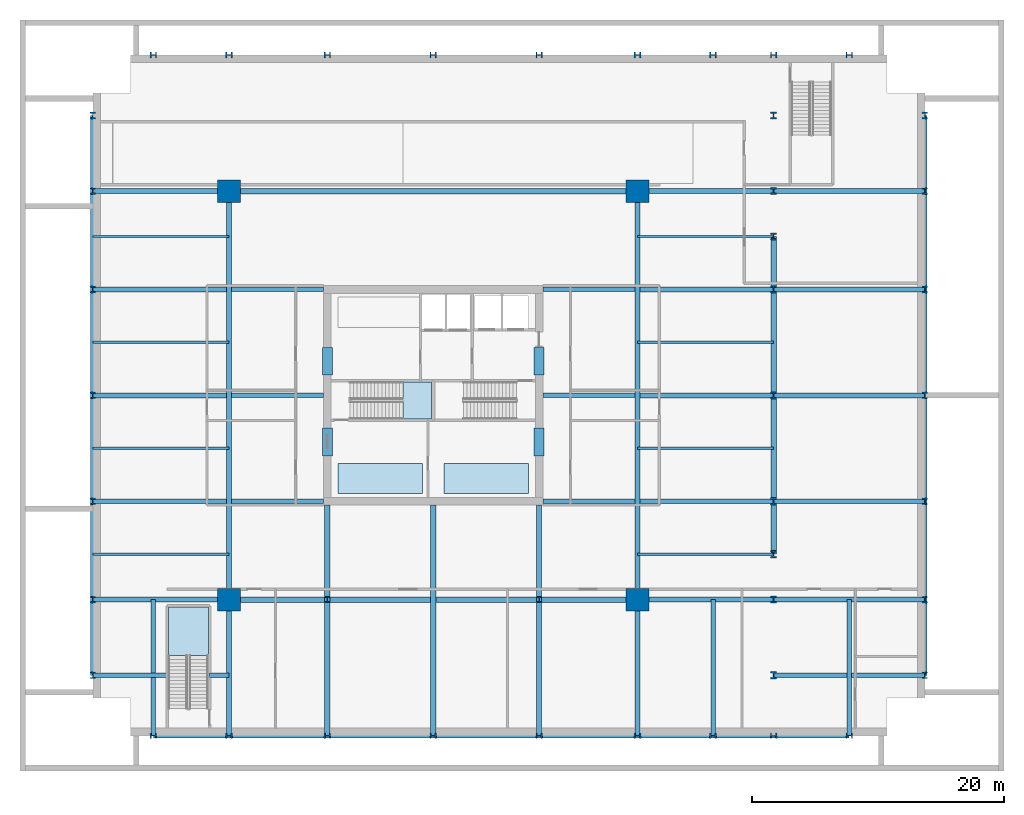
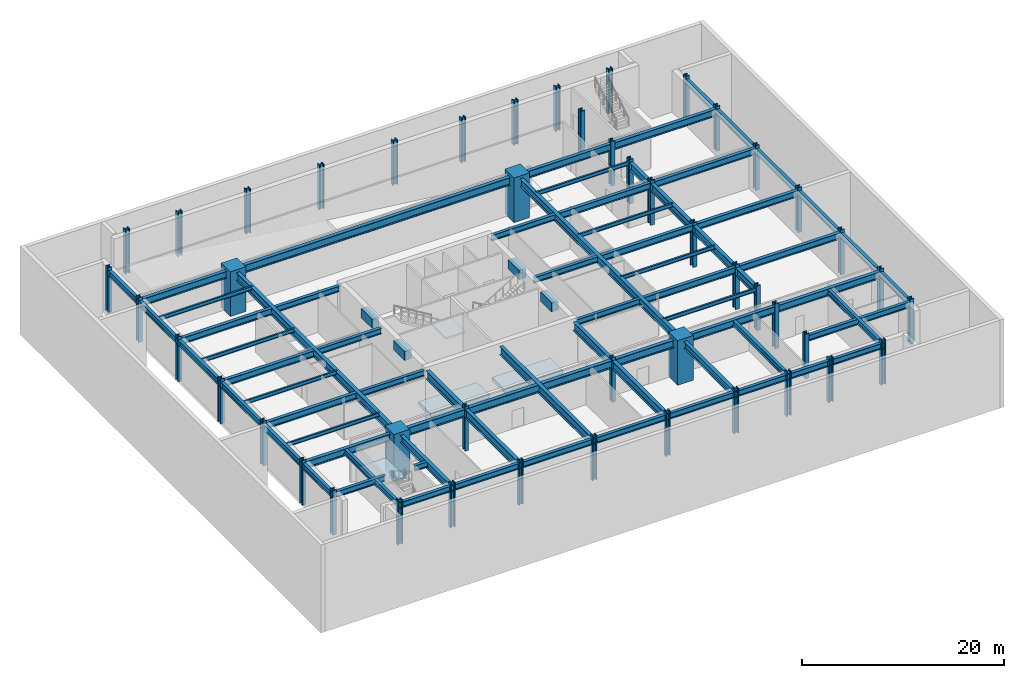
# One storey, part 1 of 9: 52 beams, 47 columns, 4 slabs, 2 elements without a shape of their own.
"""IFC4 building model written with IfcOpenShell, lengths in metres."""

from ifc_helpers import new_model, si_unit, direction, frame, origin, origin_2d, place, context, subcontext, project, spatial, polyline, rectangle, i_section, outline, extrude, material, layer, layer_set, material_profile, profile_set, type_object, element, aggregate, save


model = new_model("IFC4")

# Units and contexts
model_context = context("Model", 3, precision=1e-05, world=origin(), true_north=direction((0.0, 1.0)))
body_context = subcontext(model_context, "Body", "Model", "MODEL_VIEW")
ifc_project = project(units=[si_unit("LENGTHUNIT", "METRE"), si_unit("AREAUNIT", "SQUARE_METRE"), si_unit("VOLUMEUNIT", "CUBIC_METRE"), si_unit("PLANEANGLEUNIT", "RADIAN"), si_unit("MASSUNIT", "GRAM", prefix="KILO")], contexts=[model_context])

# Site, building, storey
site_placement = place(None, origin())
site = spatial("IfcSite", under=ifc_project, at=site_placement, CompositionType="ELEMENT")
building_placement = place(site_placement, origin())
building = spatial("IfcBuilding", under=site, at=building_placement, Name="Drelvath Grand Hotel", CompositionType="ELEMENT")
storey_placement = place(building_placement, frame((0.0, 0.0, -5.39990234375)))
storey = spatial("IfcBuildingStorey", under=building, at=storey_placement, Name="B1", CompositionType="ELEMENT", Elevation=-5.39990234375)

# Columns
ifc_material_1 = material(Name="Concrete f'c 70 MPa", Category="concrete")
ifc_material_profile_1 = material_profile(ifc_material_1, rectangle(XDim=1.800048828125, YDim=1.800048828125, at=origin_2d()), Name="MC1800X1800")
ifc_profile_set_1 = profile_set([ifc_material_profile_1], Name="Concrete f'c 70 MPa")
column_type_1 = type_object("IfcColumnType", Name="Composite Mega Column MC1800X1800", PredefinedType="COLUMN", material=ifc_profile_set_1)
for number, where, z_axis, x_axis, name in (
    (1, (-16.199951171875, 10.800048828125, 0.0), (0.0, 0.0, 1.0), (1.0, 0.0, 0.0), "B1 Composite Mega Column MC-SW"),
    (2, (16.199951171875, 10.800048828125, 0.0), (0.0, 0.0, 1.0), (1.0, 0.0, 0.0), "B1 Composite Mega Column MC-SE"),
    (3, (-16.199951171875, 43.199951171875, 0.0), (0.0, 0.0, 1.0), (1.0, 0.0, 0.0), "B1 Composite Mega Column MC-NW"),
    (4, (16.199951171875, 43.199951171875, 0.0), (0.0, 0.0, 1.0), (1.0, 0.0, 0.0), "B1 Composite Mega Column MC-NE"),
):
    element("IfcColumn", number, at=place(storey_placement, frame(where, z_axis=z_axis, x_axis=x_axis)), inside=storey, type_object=column_type_1, Name=name, PredefinedType="COLUMN", context=body_context, shape_type="SweptSolid", body=[
        extrude(rectangle(XDim=1.800048828125, YDim=1.800048828125, at=origin_2d()), origin(), (0.0, 0.0, 1.0), 5.39990234375),
    ])
ifc_material_2 = material(Name="Steel ASTM A913 Gr 65", Category="steel")
ifc_material_profile_2 = material_profile(ifc_material_2, i_section(OverallWidth=0.424072265625, OverallDepth=0.47412109375, WebThickness=0.047607421875, FlangeThickness=0.0771484375, FilletRadius=0.030029296875, at=origin_2d()), Name="W14X426")
ifc_profile_set_2 = profile_set([ifc_material_profile_2], Name="Steel ASTM A913 Gr 65")
column_type_2 = type_object("IfcColumnType", Name="Perimeter Steel Column W14X426", PredefinedType="COLUMN", material=ifc_profile_set_2)
for number, where, z_axis, x_axis, name in (
    (5, (-8.39990234375, 10.800048828125, 0.0), (0.0, 0.0, 1.0), (1.0, 0.0, 0.0), "B1 Structural Column PCP4-C"),
    (6, (8.39990234375, 10.800048828125, 0.0), (0.0, 0.0, 1.0), (1.0, 0.0, 0.0), "B1 Structural Column PCP6-C"),
):
    element("IfcColumn", number, at=place(storey_placement, frame(where, z_axis=z_axis, x_axis=x_axis)), inside=storey, type_object=column_type_2, Name=name, PredefinedType="COLUMN", context=body_context, shape_type="SweptSolid", body=[
        extrude(i_section(OverallWidth=0.424072265625, OverallDepth=0.47412109375, WebThickness=0.047607421875, FlangeThickness=0.0771484375, FilletRadius=0.030029296875, at=origin_2d()), origin(), (0.0, 0.0, 1.0), 5.39990234375),
    ])
ifc_material_profile_3 = material_profile(ifc_material_2, i_section(OverallWidth=0.44189453125, OverallDepth=0.531494140625, WebThickness=0.06591796875, FlangeThickness=0.105712890625, FilletRadius=0.030029296875, at=origin_2d()), Name="W14X605")
ifc_profile_set_3 = profile_set([ifc_material_profile_3], Name="Steel ASTM A913 Gr 65")
column_type_3 = type_object("IfcColumnType", Name="Perimeter Steel Column W14X605", PredefinedType="COLUMN", material=ifc_profile_set_3)
for number, where, z_axis, x_axis, name in (
    (7, (-27.0, 4.800048828125, 0.0), (0.0, 0.0, 1.0), (1.0, 0.0, 0.0), "B1 Structural Column PCW-B"),
    (8, (39.0, 4.800048828125, 0.0), (0.0, 0.0, 1.0), (1.0, 0.0, 0.0), "B1 Structural Column PCE-B"),
    (9, (-27.0, 10.800048828125, 0.0), (0.0, 0.0, 1.0), (1.0, 0.0, 0.0), "B1 Structural Column PCW-C"),
    (10, (39.0, 10.800048828125, 0.0), (0.0, 0.0, 1.0), (1.0, 0.0, 0.0), "B1 Structural Column PCE-C"),
    (11, (-27.0, 18.60009765625, 0.0), (0.0, 0.0, 1.0), (1.0, 0.0, 0.0), "B1 Structural Column PCW-D"),
    (12, (39.0, 18.60009765625, 0.0), (0.0, 0.0, 1.0), (1.0, 0.0, 0.0), "B1 Structural Column PCE-D"),
    (13, (-27.0, 27.0, 0.0), (0.0, 0.0, 1.0), (1.0, 0.0, 0.0), "B1 Structural Column PCW-E"),
    (14, (39.0, 27.0, 0.0), (0.0, 0.0, 1.0), (1.0, 0.0, 0.0), "B1 Structural Column PCE-E"),
    (15, (-27.0, 35.39990234375, 0.0), (0.0, 0.0, 1.0), (1.0, 0.0, 0.0), "B1 Structural Column PCW-F"),
    (16, (39.0, 35.39990234375, 0.0), (0.0, 0.0, 1.0), (1.0, 0.0, 0.0), "B1 Structural Column PCE-F"),
    (17, (-27.0, 43.199951171875, 0.0), (0.0, 0.0, 1.0), (1.0, 0.0, 0.0), "B1 Structural Column PCW-G"),
    (18, (39.0, 43.199951171875, 0.0), (0.0, 0.0, 1.0), (1.0, 0.0, 0.0), "B1 Structural Column PCE-G"),
    (19, (-27.0, 49.199951171875, 0.0), (0.0, 0.0, 1.0), (1.0, 0.0, 0.0), "B1 Structural Column PCW-H"),
    (20, (39.0, 49.199951171875, 0.0), (0.0, 0.0, 1.0), (1.0, 0.0, 0.0), "B1 Structural Column PCE-H"),
    (21, (-22.199951171875, 0.0, 0.0), (0.0, 0.0, 1.0), (0.0, 1.0, 0.0), "B1 Structural Column PCS-2"),
    (22, (-22.199951171875, 54.0, 0.0), (0.0, 0.0, 1.0), (0.0, 1.0, 0.0), "B1 Structural Column PCN-2"),
    (23, (-16.199951171875, 0.0, 0.0), (0.0, 0.0, 1.0), (0.0, 1.0, 0.0), "B1 Structural Column PCS-3"),
    (24, (-16.199951171875, 54.0, 0.0), (0.0, 0.0, 1.0), (0.0, 1.0, 0.0), "B1 Structural Column PCN-3"),
    (25, (-8.39990234375, 0.0, 0.0), (0.0, 0.0, 1.0), (0.0, 1.0, 0.0), "B1 Structural Column PCS-4"),
    (26, (-8.39990234375, 54.0, 0.0), (0.0, 0.0, 1.0), (0.0, 1.0, 0.0), "B1 Structural Column PCN-4"),
    (27, (0.0, 0.0, 0.0), (0.0, 0.0, 1.0), (0.0, 1.0, 0.0), "B1 Structural Column PCS-5"),
    (28, (0.0, 54.0, 0.0), (0.0, 0.0, 1.0), (0.0, 1.0, 0.0), "B1 Structural Column PCN-5"),
    (29, (8.39990234375, 0.0, 0.0), (0.0, 0.0, 1.0), (0.0, 1.0, 0.0), "B1 Structural Column PCS-6"),
    (30, (8.39990234375, 54.0, 0.0), (0.0, 0.0, 1.0), (0.0, 1.0, 0.0), "B1 Structural Column PCN-6"),
    (31, (16.199951171875, 0.0, 0.0), (0.0, 0.0, 1.0), (0.0, 1.0, 0.0), "B1 Structural Column PCS-7"),
    (32, (16.199951171875, 54.0, 0.0), (0.0, 0.0, 1.0), (0.0, 1.0, 0.0), "B1 Structural Column PCN-7"),
    (33, (22.199951171875, 0.0, 0.0), (0.0, 0.0, 1.0), (0.0, 1.0, 0.0), "B1 Structural Column PCS-8"),
    (34, (22.199951171875, 54.0, 0.0), (0.0, 0.0, 1.0), (0.0, 1.0, 0.0), "B1 Structural Column PCN-8"),
    (35, (27.0, 0.0, 0.0), (0.0, 0.0, 1.0), (0.0, 1.0, 0.0), "B1 Structural Column PCS-9"),
    (36, (27.0, 54.0, 0.0), (0.0, 0.0, 1.0), (0.0, 1.0, 0.0), "B1 Structural Column PCN-9"),
    (37, (33.0, 0.0, 0.0), (0.0, 0.0, 1.0), (0.0, 1.0, 0.0), "B1 Structural Column PCS-10"),
    (38, (33.0, 54.0, 0.0), (0.0, 0.0, 1.0), (0.0, 1.0, 0.0), "B1 Structural Column PCN-10"),
):
    element("IfcColumn", number, at=place(storey_placement, frame(where, z_axis=z_axis, x_axis=x_axis)), inside=storey, type_object=column_type_3, Name=name, PredefinedType="COLUMN", context=body_context, shape_type="SweptSolid", body=[
        extrude(i_section(OverallWidth=0.44189453125, OverallDepth=0.531494140625, WebThickness=0.06591796875, FlangeThickness=0.105712890625, FilletRadius=0.030029296875, at=origin_2d()), origin(), (0.0, 0.0, 1.0), 5.39990234375),
    ])
ifc_material_profile_4 = material_profile(ifc_material_2, i_section(OverallWidth=0.454345703125, OverallDepth=0.569091796875, WebThickness=0.077880859375, FlangeThickness=0.124755859375, FilletRadius=0.030029296875, at=origin_2d()), Name="W14X730")
ifc_profile_set_4 = profile_set([ifc_material_profile_4], Name="Steel ASTM A913 Gr 65")
column_type_4 = type_object("IfcColumnType", Name="Perimeter Steel Column W14X730", PredefinedType="COLUMN", material=ifc_profile_set_4)
for number, where, z_axis, x_axis, name in (
    (39, (27.0, 4.800048828125, 0.0), (0.0, 0.0, 1.0), (1.0, 0.0, 0.0), "B1 Structural Column PCP9-B"),
    (40, (27.0, 10.800048828125, 0.0), (0.0, 0.0, 1.0), (1.0, 0.0, 0.0), "B1 Structural Column PCP9-C"),
    (41, (27.0, 14.39990234375, 0.0), (0.0, 0.0, 1.0), (1.0, 0.0, 0.0), "B1 Structural Column PCP9-AT1"),
    (42, (27.0, 39.60009765625, 0.0), (0.0, 0.0, 1.0), (1.0, 0.0, 0.0), "B1 Structural Column PCP9-AT2"),
    (43, (27.0, 43.199951171875, 0.0), (0.0, 0.0, 1.0), (1.0, 0.0, 0.0), "B1 Structural Column PCP9-G"),
    (44, (27.0, 49.199951171875, 0.0), (0.0, 0.0, 1.0), (1.0, 0.0, 0.0), "B1 Structural Column PCP9-H"),
    (45, (27.0, 18.60009765625, 0.0), (0.0, 0.0, 1.0), (1.0, 0.0, 0.0), "B1 Structural Column PCP9-D"),
    (46, (27.0, 27.0, 0.0), (0.0, 0.0, 1.0), (1.0, 0.0, 0.0), "B1 Structural Column PCP9-E"),
    (47, (27.0, 35.39990234375, 0.0), (0.0, 0.0, 1.0), (1.0, 0.0, 0.0), "B1 Structural Column PCP9-F"),
):
    element("IfcColumn", number, at=place(storey_placement, frame(where, z_axis=z_axis, x_axis=x_axis)), inside=storey, type_object=column_type_4, Name=name, PredefinedType="COLUMN", context=body_context, shape_type="SweptSolid", body=[
        extrude(i_section(OverallWidth=0.454345703125, OverallDepth=0.569091796875, WebThickness=0.077880859375, FlangeThickness=0.124755859375, FilletRadius=0.030029296875, at=origin_2d()), origin(), (0.0, 0.0, 1.0), 5.39990234375),
    ])

# Beams
ifc_material_3 = material(Name="Steel ASTM A992 Gr 50", Category="steel")
ifc_material_profile_5 = material_profile(ifc_material_3, i_section(OverallWidth=0.19140625, OverallDepth=0.4599609375, WebThickness=0.010009765625, FlangeThickness=0.01611328125, FilletRadius=0.01611328125, at=origin_2d()), Name="W18X55")
ifc_profile_set_5 = profile_set([ifc_material_profile_5], Name="Steel ASTM A992 Gr 50")
beam_type_1 = type_object("IfcBeamType", Name="Composite Floor Joist W18X55", PredefinedType="JOIST", material=ifc_profile_set_5)
for number, where, z_axis, x_axis, name in (
    (48, (-27.0, 22.800048828125, 4.81982421875), (1.0, 0.0, 0.0), (0.0, 1.0, 0.0), "B1 West Composite Joist J1"),
    (49, (16.199951171875, 22.800048828125, 4.81982421875), (1.0, 0.0, 0.0), (0.0, 1.0, 0.0), "B1 East Composite Joist J1"),
    (50, (-27.0, 31.199951171875, 4.81982421875), (1.0, 0.0, 0.0), (0.0, 1.0, 0.0), "B1 West Composite Joist J2"),
    (51, (16.199951171875, 31.199951171875, 4.81982421875), (1.0, 0.0, 0.0), (0.0, 1.0, 0.0), "B1 East Composite Joist J2"),
    (52, (-27.0, 14.39990234375, 4.81982421875), (1.0, 0.0, 0.0), (0.0, 1.0, 0.0), "B1 West Composite Joist J3"),
    (53, (16.199951171875, 14.39990234375, 4.81982421875), (1.0, 0.0, 0.0), (0.0, 1.0, 0.0), "B1 East Composite Joist J3"),
    (54, (-27.0, 39.60009765625, 4.81982421875), (1.0, 0.0, 0.0), (0.0, 1.0, 0.0), "B1 West Composite Joist J4"),
    (55, (16.199951171875, 39.60009765625, 4.81982421875), (1.0, 0.0, 0.0), (0.0, 1.0, 0.0), "B1 East Composite Joist J4"),
):
    element("IfcBeam", number, at=place(storey_placement, frame(where, z_axis=z_axis, x_axis=x_axis)), inside=storey, type_object=beam_type_1, Name=name, PredefinedType="JOIST", context=body_context, shape_type="SweptSolid", body=[
        extrude(i_section(OverallWidth=0.19140625, OverallDepth=0.4599609375, WebThickness=0.010009765625, FlangeThickness=0.01611328125, FilletRadius=0.01611328125, at=origin_2d()), origin(), (0.0, 0.0, 1.0), 10.800048828125),
    ])
ifc_material_profile_6 = material_profile(ifc_material_1, rectangle(XDim=0.800048828125, YDim=1.10009765625, at=origin_2d()), Name="CB800X1100")
ifc_profile_set_6 = profile_set([ifc_material_profile_6], Name="Concrete f'c 70 MPa")
beam_type_2 = type_object("IfcBeamType", Name="Core Coupling Lintel CB800X1100", PredefinedType="LINTEL", material=ifc_profile_set_6)
for number, where, z_axis, x_axis, name in (
    (56, (-8.39990234375, 22.199951171875, 4.5), (0.0, 1.0, 0.0), (-1.0, 0.0, 0.0), "B1 Core Coupling Lintel WS"),
    (57, (-8.39990234375, 28.60009765625, 4.5), (0.0, 1.0, 0.0), (-1.0, 0.0, 0.0), "B1 Core Coupling Lintel WN"),
    (58, (8.39990234375, 22.199951171875, 4.5), (0.0, 1.0, 0.0), (-1.0, 0.0, 0.0), "B1 Core Coupling Lintel ES"),
    (59, (8.39990234375, 28.60009765625, 4.5), (0.0, 1.0, 0.0), (-1.0, 0.0, 0.0), "B1 Core Coupling Lintel EN"),
):
    element("IfcBeam", number, at=place(storey_placement, frame(where, z_axis=z_axis, x_axis=x_axis)), inside=storey, type_object=beam_type_2, Name=name, PredefinedType="LINTEL", context=body_context, shape_type="SweptSolid", body=[
        extrude(rectangle(XDim=0.800048828125, YDim=1.10009765625, at=origin_2d()), origin(), (0.0, 0.0, 1.0), 2.199951171875),
    ])
ifc_material_profile_7 = material_profile(ifc_material_3, i_section(OverallWidth=0.354736328125, OverallDepth=0.695556640625, WebThickness=0.015380859375, FlangeThickness=0.025146484375, FilletRadius=0.02392578125, at=origin_2d()), Name="W27X146")
ifc_profile_set_7 = profile_set([ifc_material_profile_7], Name="Steel ASTM A992 Gr 50")
beam_type_3 = type_object("IfcBeamType", Name="Perimeter Spandrel Beam W27X146", PredefinedType="SPANDREL", material=ifc_profile_set_7)
for number, where, z_axis, x_axis, name in (
    (60, (-27.0, 4.800048828125, 4.7021484375), (0.0, 1.0, 0.0), (-1.0, 0.0, 0.0), "B1 Podium Perimeter Spandrel SPW1"),
    (61, (39.0, 4.800048828125, 4.7021484375), (0.0, 1.0, 0.0), (-1.0, 0.0, 0.0), "B1 Podium Perimeter Spandrel SPE1"),
):
    element("IfcBeam", number, at=place(storey_placement, frame(where, z_axis=z_axis, x_axis=x_axis)), inside=storey, type_object=beam_type_3, Name=name, PredefinedType="SPANDREL", context=body_context, shape_type="SweptSolid", body=[
        extrude(i_section(OverallWidth=0.354736328125, OverallDepth=0.695556640625, WebThickness=0.015380859375, FlangeThickness=0.025146484375, FilletRadius=0.02392578125, at=origin_2d()), origin(), (0.0, 0.0, 1.0), 44.39990234375),
    ])
beam_1_placement = place(storey_placement, frame((-22.199951171875, 0.0, 4.7021484375), z_axis=(1.0, 0.0, 0.0), x_axis=(0.0, 1.0, 0.0)))
element("IfcBeam", 62, at=beam_1_placement, inside=storey, type_object=beam_type_3, Name="B1 Podium Perimeter Spandrel SPS1", PredefinedType="SPANDREL", context=body_context, shape_type="SweptSolid", body=[
    extrude(i_section(OverallWidth=0.354736328125, OverallDepth=0.695556640625, WebThickness=0.015380859375, FlangeThickness=0.025146484375, FilletRadius=0.02392578125, at=origin_2d()), origin(), (0.0, 0.0, 1.0), 55.199951171875),
])
ifc_material_profile_8 = material_profile(ifc_material_3, i_section(OverallWidth=0.354736328125, OverallDepth=0.695556640625, WebThickness=0.015380859375, FlangeThickness=0.025146484375, FilletRadius=0.02392578125, at=origin_2d()), Name="W27X146")
ifc_profile_set_8 = profile_set([ifc_material_profile_8], Name="Steel ASTM A992 Gr 50")
beam_type_4 = type_object("IfcBeamType", Name="Primary Floor Girder W27X146", PredefinedType="BEAM", material=ifc_profile_set_8)
for number, where, z_axis, x_axis, name in (
    (63, (-15.988525390625, 18.60009765625, 4.7021484375), (1.0, 0.0, 0.0), (0.0, 1.0, 0.0), "B1 West Core Girder D"),
    (64, (8.699951171875, 18.60009765625, 4.7021484375), (1.0, 0.0, 0.0), (0.0, 1.0, 0.0), "B1 East Core Girder D"),
    (65, (-15.988525390625, 27.0, 4.7021484375), (1.0, 0.0, 0.0), (0.0, 1.0, 0.0), "B1 West Core Girder E"),
    (66, (8.699951171875, 27.0, 4.7021484375), (1.0, 0.0, 0.0), (0.0, 1.0, 0.0), "B1 East Core Girder E"),
    (67, (-15.988525390625, 35.39990234375, 4.7021484375), (1.0, 0.0, 0.0), (0.0, 1.0, 0.0), "B1 West Core Girder F"),
    (68, (8.699951171875, 35.39990234375, 4.7021484375), (1.0, 0.0, 0.0), (0.0, 1.0, 0.0), "B1 East Core Girder F"),
):
    element("IfcBeam", number, at=place(storey_placement, frame(where, z_axis=z_axis, x_axis=x_axis)), inside=storey, type_object=beam_type_4, Name=name, PredefinedType="BEAM", context=body_context, shape_type="SweptSolid", body=[
        extrude(i_section(OverallWidth=0.354736328125, OverallDepth=0.695556640625, WebThickness=0.015380859375, FlangeThickness=0.025146484375, FilletRadius=0.02392578125, at=origin_2d()), origin(), (0.0, 0.0, 1.0), 7.28857421875),
    ])
beam_2_placement = place(storey_placement, frame((-27.0, 4.800048828125, 4.7021484375), z_axis=(1.0, 0.0, 0.0), x_axis=(0.0, 1.0, 0.0)))
element("IfcBeam", 69, at=beam_2_placement, inside=storey, type_object=beam_type_4, Name="B1 West Corner Tie B1", PredefinedType="BEAM", context=body_context, shape_type="SweptSolid", body=[
    extrude(i_section(OverallWidth=0.354736328125, OverallDepth=0.695556640625, WebThickness=0.015380859375, FlangeThickness=0.025146484375, FilletRadius=0.02392578125, at=origin_2d()), origin(), (0.0, 0.0, 1.0), 5.89990234375),
])
beam_3_placement = place(storey_placement, frame((-17.739990234375, 4.800048828125, 4.7021484375), z_axis=(1.0, 0.0, 0.0), x_axis=(0.0, 1.0, 0.0)))
element("IfcBeam", 70, at=beam_3_placement, inside=storey, type_object=beam_type_4, Name="B1 West Corner Tie B2", PredefinedType="BEAM", context=body_context, shape_type="SweptSolid", body=[
    extrude(i_section(OverallWidth=0.354736328125, OverallDepth=0.695556640625, WebThickness=0.015380859375, FlangeThickness=0.025146484375, FilletRadius=0.02392578125, at=origin_2d()), origin(), (0.0, 0.0, 1.0), 1.5400390625),
])
beam_4_placement = place(storey_placement, frame((27.0, 4.800048828125, 4.7021484375), z_axis=(1.0, 0.0, 0.0), x_axis=(0.0, 1.0, 0.0)))
element("IfcBeam", 71, at=beam_4_placement, inside=storey, type_object=beam_type_4, Name="B1 East Corner Tie B", PredefinedType="BEAM", context=body_context, shape_type="SweptSolid", body=[
    extrude(i_section(OverallWidth=0.354736328125, OverallDepth=0.695556640625, WebThickness=0.015380859375, FlangeThickness=0.025146484375, FilletRadius=0.02392578125, at=origin_2d()), origin(), (0.0, 0.0, 1.0), 12.0),
])
for number, where, z_axis, x_axis, name in (
    (72, (-22.199951171875, 0.0, 4.7021484375), (0.0, 1.0, 0.0), (-1.0, 0.0, 0.0), "B1 South Corner Tie 2"),
    (73, (22.199951171875, 0.0, 4.7021484375), (0.0, 1.0, 0.0), (-1.0, 0.0, 0.0), "B1 South Corner Tie 8"),
    (74, (33.0, 0.0, 4.7021484375), (0.0, 1.0, 0.0), (-1.0, 0.0, 0.0), "B1 South Corner Tie 10"),
):
    element("IfcBeam", number, at=place(storey_placement, frame(where, z_axis=z_axis, x_axis=x_axis)), inside=storey, type_object=beam_type_4, Name=name, PredefinedType="BEAM", context=body_context, shape_type="SweptSolid", body=[
        extrude(i_section(OverallWidth=0.354736328125, OverallDepth=0.695556640625, WebThickness=0.015380859375, FlangeThickness=0.025146484375, FilletRadius=0.02392578125, at=origin_2d()), origin(), (0.0, 0.0, 1.0), 10.800048828125),
    ])
ifc_material_profile_9 = material_profile(ifc_material_3, i_section(OverallWidth=0.380615234375, OverallDepth=0.773193359375, WebThickness=0.0166015625, FlangeThickness=0.027099609375, FilletRadius=0.02490234375, at=origin_2d()), Name="W30X173")
ifc_profile_set_9 = profile_set([ifc_material_profile_9], Name="Steel ASTM A992 Gr 50")
beam_type_5 = type_object("IfcBeamType", Name="Primary Floor Girder W30X173", PredefinedType="BEAM", material=ifc_profile_set_9)
for number, where, z_axis, x_axis, name in (
    (75, (-27.0, 18.60009765625, 4.663330078125), (1.0, 0.0, 0.0), (0.0, 1.0, 0.0), "B1 West Bay Girder D"),
    (76, (16.41162109375, 18.60009765625, 4.663330078125), (1.0, 0.0, 0.0), (0.0, 1.0, 0.0), "B1 East Bay Girder D"),
):
    element("IfcBeam", number, at=place(storey_placement, frame(where, z_axis=z_axis, x_axis=x_axis)), inside=storey, type_object=beam_type_5, Name=name, PredefinedType="BEAM", context=body_context, shape_type="SweptSolid", body=[
        extrude(i_section(OverallWidth=0.380615234375, OverallDepth=0.773193359375, WebThickness=0.0166015625, FlangeThickness=0.027099609375, FilletRadius=0.02490234375, at=origin_2d()), origin(), (0.0, 0.0, 1.0), 10.58837890625),
    ])
beam_5_placement = place(storey_placement, frame((27.0, 18.60009765625, 4.663330078125), z_axis=(1.0, 0.0, 0.0), x_axis=(0.0, 1.0, 0.0)))
element("IfcBeam", 77, at=beam_5_placement, inside=storey, type_object=beam_type_5, Name="B1 Atrium Floor Girder D", PredefinedType="BEAM", context=body_context, shape_type="SweptSolid", body=[
    extrude(i_section(OverallWidth=0.380615234375, OverallDepth=0.773193359375, WebThickness=0.0166015625, FlangeThickness=0.027099609375, FilletRadius=0.02490234375, at=origin_2d()), origin(), (0.0, 0.0, 1.0), 12.0),
])
for number, where, z_axis, x_axis, name in (
    (78, (-27.0, 27.0, 4.663330078125), (1.0, 0.0, 0.0), (0.0, 1.0, 0.0), "B1 West Bay Girder E"),
    (79, (16.41162109375, 27.0, 4.663330078125), (1.0, 0.0, 0.0), (0.0, 1.0, 0.0), "B1 East Bay Girder E"),
):
    element("IfcBeam", number, at=place(storey_placement, frame(where, z_axis=z_axis, x_axis=x_axis)), inside=storey, type_object=beam_type_5, Name=name, PredefinedType="BEAM", context=body_context, shape_type="SweptSolid", body=[
        extrude(i_section(OverallWidth=0.380615234375, OverallDepth=0.773193359375, WebThickness=0.0166015625, FlangeThickness=0.027099609375, FilletRadius=0.02490234375, at=origin_2d()), origin(), (0.0, 0.0, 1.0), 10.58837890625),
    ])
beam_6_placement = place(storey_placement, frame((27.0, 27.0, 4.663330078125), z_axis=(1.0, 0.0, 0.0), x_axis=(0.0, 1.0, 0.0)))
element("IfcBeam", 80, at=beam_6_placement, inside=storey, type_object=beam_type_5, Name="B1 Atrium Floor Girder E", PredefinedType="BEAM", context=body_context, shape_type="SweptSolid", body=[
    extrude(i_section(OverallWidth=0.380615234375, OverallDepth=0.773193359375, WebThickness=0.0166015625, FlangeThickness=0.027099609375, FilletRadius=0.02490234375, at=origin_2d()), origin(), (0.0, 0.0, 1.0), 12.0),
])
for number, where, z_axis, x_axis, name in (
    (81, (-27.0, 35.39990234375, 4.663330078125), (1.0, 0.0, 0.0), (0.0, 1.0, 0.0), "B1 West Bay Girder F"),
    (82, (16.41162109375, 35.39990234375, 4.663330078125), (1.0, 0.0, 0.0), (0.0, 1.0, 0.0), "B1 East Bay Girder F"),
):
    element("IfcBeam", number, at=place(storey_placement, frame(where, z_axis=z_axis, x_axis=x_axis)), inside=storey, type_object=beam_type_5, Name=name, PredefinedType="BEAM", context=body_context, shape_type="SweptSolid", body=[
        extrude(i_section(OverallWidth=0.380615234375, OverallDepth=0.773193359375, WebThickness=0.0166015625, FlangeThickness=0.027099609375, FilletRadius=0.02490234375, at=origin_2d()), origin(), (0.0, 0.0, 1.0), 10.58837890625),
    ])
beam_7_placement = place(storey_placement, frame((27.0, 35.39990234375, 4.663330078125), z_axis=(1.0, 0.0, 0.0), x_axis=(0.0, 1.0, 0.0)))
element("IfcBeam", 83, at=beam_7_placement, inside=storey, type_object=beam_type_5, Name="B1 Atrium Floor Girder F", PredefinedType="BEAM", context=body_context, shape_type="SweptSolid", body=[
    extrude(i_section(OverallWidth=0.380615234375, OverallDepth=0.773193359375, WebThickness=0.0166015625, FlangeThickness=0.027099609375, FilletRadius=0.02490234375, at=origin_2d()), origin(), (0.0, 0.0, 1.0), 12.0),
])
ifc_material_profile_10 = material_profile(ifc_material_3, i_section(OverallWidth=0.39990234375, OverallDepth=0.85546875, WebThickness=0.018310546875, FlangeThickness=0.029296875, FilletRadius=0.02490234375, at=origin_2d()), Name="W33X201")
ifc_profile_set_10 = profile_set([ifc_material_profile_10], Name="Steel ASTM A992 Gr 50")
beam_type_6 = type_object("IfcBeamType", Name="Primary Floor Girder W33X201", PredefinedType="BEAM", material=ifc_profile_set_10)
for number, where, z_axis, x_axis, name in (
    (84, (-27.0, 10.800048828125, 4.622314453125), (1.0, 0.0, 0.0), (0.0, 1.0, 0.0), "B1 West Podium Girder C"),
    (85, (16.199951171875, 10.800048828125, 4.622314453125), (1.0, 0.0, 0.0), (0.0, 1.0, 0.0), "B1 East Podium Girder 1 C"),
):
    element("IfcBeam", number, at=place(storey_placement, frame(where, z_axis=z_axis, x_axis=x_axis)), inside=storey, type_object=beam_type_6, Name=name, PredefinedType="BEAM", context=body_context, shape_type="SweptSolid", body=[
        extrude(i_section(OverallWidth=0.39990234375, OverallDepth=0.85546875, WebThickness=0.018310546875, FlangeThickness=0.029296875, FilletRadius=0.02490234375, at=origin_2d()), origin(), (0.0, 0.0, 1.0), 10.800048828125),
    ])
beam_8_placement = place(storey_placement, frame((27.0, 10.800048828125, 4.622314453125), z_axis=(1.0, 0.0, 0.0), x_axis=(0.0, 1.0, 0.0)))
element("IfcBeam", 86, at=beam_8_placement, inside=storey, type_object=beam_type_6, Name="B1 East Podium Girder 2 C", PredefinedType="BEAM", context=body_context, shape_type="SweptSolid", body=[
    extrude(i_section(OverallWidth=0.39990234375, OverallDepth=0.85546875, WebThickness=0.018310546875, FlangeThickness=0.029296875, FilletRadius=0.02490234375, at=origin_2d()), origin(), (0.0, 0.0, 1.0), 12.0),
])
for number, where, z_axis, x_axis, name in (
    (87, (-27.0, 43.199951171875, 4.622314453125), (1.0, 0.0, 0.0), (0.0, 1.0, 0.0), "B1 West Podium Girder G"),
    (88, (16.199951171875, 43.199951171875, 4.622314453125), (1.0, 0.0, 0.0), (0.0, 1.0, 0.0), "B1 East Podium Girder 1 G"),
):
    element("IfcBeam", number, at=place(storey_placement, frame(where, z_axis=z_axis, x_axis=x_axis)), inside=storey, type_object=beam_type_6, Name=name, PredefinedType="BEAM", context=body_context, shape_type="SweptSolid", body=[
        extrude(i_section(OverallWidth=0.39990234375, OverallDepth=0.85546875, WebThickness=0.018310546875, FlangeThickness=0.029296875, FilletRadius=0.02490234375, at=origin_2d()), origin(), (0.0, 0.0, 1.0), 10.800048828125),
    ])
beam_9_placement = place(storey_placement, frame((27.0, 43.199951171875, 4.622314453125), z_axis=(1.0, 0.0, 0.0), x_axis=(0.0, 1.0, 0.0)))
element("IfcBeam", 89, at=beam_9_placement, inside=storey, type_object=beam_type_6, Name="B1 East Podium Girder 2 G", PredefinedType="BEAM", context=body_context, shape_type="SweptSolid", body=[
    extrude(i_section(OverallWidth=0.39990234375, OverallDepth=0.85546875, WebThickness=0.018310546875, FlangeThickness=0.029296875, FilletRadius=0.02490234375, at=origin_2d()), origin(), (0.0, 0.0, 1.0), 12.0),
])
for number, where, z_axis, x_axis, name in (
    (90, (-16.199951171875, 0.0, 4.622314453125), (0.0, 1.0, 0.0), (-1.0, 0.0, 0.0), "B1 South Podium Girder 3"),
    (91, (16.199951171875, 0.0, 4.622314453125), (0.0, 1.0, 0.0), (-1.0, 0.0, 0.0), "B1 South Podium Girder 7"),
):
    element("IfcBeam", number, at=place(storey_placement, frame(where, z_axis=z_axis, x_axis=x_axis)), inside=storey, type_object=beam_type_6, Name=name, PredefinedType="BEAM", context=body_context, shape_type="SweptSolid", body=[
        extrude(i_section(OverallWidth=0.39990234375, OverallDepth=0.85546875, WebThickness=0.018310546875, FlangeThickness=0.029296875, FilletRadius=0.02490234375, at=origin_2d()), origin(), (0.0, 0.0, 1.0), 10.800048828125),
    ])
ifc_material_profile_11 = material_profile(ifc_material_3, i_section(OverallWidth=0.423095703125, OverallDepth=0.9482421875, WebThickness=0.02392578125, FlangeThickness=0.042724609375, FilletRadius=0.028076171875, at=origin_2d()), Name="W36X302")
ifc_profile_set_11 = profile_set([ifc_material_profile_11], Name="Steel ASTM A992 Gr 50")
beam_type_7 = type_object("IfcBeamType", Name="Primary Floor Girder W36X302", PredefinedType="BEAM", material=ifc_profile_set_11)
for number, where, z_axis, x_axis, name in (
    (92, (-16.199951171875, 10.800048828125, 4.57568359375), (1.0, 0.0, 0.0), (0.0, 1.0, 0.0), "B1 Mega Frame Girder South"),
    (93, (-16.199951171875, 43.199951171875, 4.57568359375), (1.0, 0.0, 0.0), (0.0, 1.0, 0.0), "B1 Mega Frame Girder North"),
    (94, (-16.199951171875, 10.800048828125, 4.57568359375), (0.0, 1.0, 0.0), (-1.0, 0.0, 0.0), "B1 Mega Frame Girder West"),
    (95, (16.199951171875, 10.800048828125, 4.57568359375), (0.0, 1.0, 0.0), (-1.0, 0.0, 0.0), "B1 Mega Frame Girder East"),
):
    element("IfcBeam", number, at=place(storey_placement, frame(where, z_axis=z_axis, x_axis=x_axis)), inside=storey, type_object=beam_type_7, Name=name, PredefinedType="BEAM", context=body_context, shape_type="SweptSolid", body=[
        extrude(i_section(OverallWidth=0.423095703125, OverallDepth=0.9482421875, WebThickness=0.02392578125, FlangeThickness=0.042724609375, FilletRadius=0.028076171875, at=origin_2d()), origin(), (0.0, 0.0, 1.0), 32.39990234375),
    ])
beam_10_placement = place(storey_placement, frame((27.0, 14.39990234375, 4.57568359375), z_axis=(0.0, 1.0, 0.0), x_axis=(-1.0, 0.0, 0.0)))
element("IfcBeam", 96, at=beam_10_placement, inside=storey, type_object=beam_type_7, Name="B1 Atrium Edge Girder Grid 9", PredefinedType="BEAM", context=body_context, shape_type="SweptSolid", body=[
    extrude(i_section(OverallWidth=0.423095703125, OverallDepth=0.9482421875, WebThickness=0.02392578125, FlangeThickness=0.042724609375, FilletRadius=0.028076171875, at=origin_2d()), origin(), (0.0, 0.0, 1.0), 25.2001953125),
])
ifc_material_profile_12 = material_profile(ifc_material_3, i_section(OverallWidth=0.40966796875, OverallDepth=1.037353515625, WebThickness=0.031005859375, FlangeThickness=0.055908203125, FilletRadius=0.030029296875, at=origin_2d()), Name="W40X397")
ifc_profile_set_12 = profile_set([ifc_material_profile_12], Name="Steel ASTM A992 Gr 50")
beam_type_8 = type_object("IfcBeamType", Name="Primary Floor Girder W40X397", PredefinedType="BEAM", material=ifc_profile_set_12)
for number, where, z_axis, x_axis, name in (
    (97, (-8.39990234375, 0.0, 4.53125), (0.0, 1.0, 0.0), (-1.0, 0.0, 0.0), "B1 South Span Girder Grid 4"),
    (98, (0.0, 0.0, 4.53125), (0.0, 1.0, 0.0), (-1.0, 0.0, 0.0), "B1 South Span Girder Grid 5"),
    (99, (8.39990234375, 0.0, 4.53125), (0.0, 1.0, 0.0), (-1.0, 0.0, 0.0), "B1 South Span Girder Grid 6"),
):
    element("IfcBeam", number, at=place(storey_placement, frame(where, z_axis=z_axis, x_axis=x_axis)), inside=storey, type_object=beam_type_8, Name=name, PredefinedType="BEAM", context=body_context, shape_type="SweptSolid", body=[
        extrude(i_section(OverallWidth=0.40966796875, OverallDepth=1.037353515625, WebThickness=0.031005859375, FlangeThickness=0.055908203125, FilletRadius=0.030029296875, at=origin_2d()), origin(), (0.0, 0.0, 1.0), 18.300048828125),
    ])

# Stair, slab
ifc_material_4 = material(Name="Concrete C40/50", Category="concrete")
stair_type_1 = type_object("IfcStairType", Name="Dogleg Exit Stair W1400-R168.8", PredefinedType="HALF_TURN_STAIR", material=ifc_material_4)
stair_1_placement = place(storey_placement, origin())
stair_1 = element("IfcStair", 100, at=stair_1_placement, inside=storey, type_object=stair_type_1, Name="B1 Core Exit Stair ST-1", PredefinedType="HALF_TURN_STAIR")
ifc_layer_1 = layer(ifc_material_4, 0.199951171875)
ifc_layer_set_1 = layer_set([ifc_layer_1], Name="Concrete C40/50")
slab_type_1 = type_object("IfcSlabType", Name="Concrete Stair Landing Slab 200", PredefinedType="LANDING", material=ifc_layer_set_1)
slab_1_placement = place(storey_placement, frame((0.0, 0.0, 2.5)))
slab_1 = element("IfcSlab", 101, at=slab_1_placement, type_object=slab_type_1, Name="ST-1 landing 1", PredefinedType="LANDING", context=body_context, shape_type="SweptSolid", body=[
    extrude(outline(polyline([(-2.39990234375, 25.1201171875), (-0.14990234375, 25.1201171875), (-0.14990234375, 28.080078125), (-2.39990234375, 28.080078125), (-2.39990234375, 25.1201171875)])), origin(), (0.0, 0.0, 1.0), 0.199951171875),
])
aggregate(stair_1, [slab_1])

stair_type_2 = type_object("IfcStairType", Name="Dogleg Exit Stair W1500-R168.8", PredefinedType="HALF_TURN_STAIR", material=ifc_material_4)
stair_2_placement = place(storey_placement, origin())
stair_2 = element("IfcStair", 102, at=stair_2_placement, inside=storey, type_object=stair_type_2, Name="B1 Podium Exit Stair ST-3", PredefinedType="HALF_TURN_STAIR")
slab_2_placement = place(storey_placement, frame((0.0, 0.0, 2.5)))
slab_2 = element("IfcSlab", 103, at=slab_2_placement, type_object=slab_type_1, Name="ST-3 landing 1", PredefinedType="LANDING", context=body_context, shape_type="SweptSolid", body=[
    extrude(outline(polyline([(-17.840087890625, 6.35009765625), (-17.840087890625, 10.199951171875), (-21.0, 10.199951171875), (-21.0, 6.35009765625), (-17.840087890625, 6.35009765625)])), origin(), (0.0, 0.0, 1.0), 0.199951171875),
])
aggregate(stair_2, [slab_2])

# Slabs
ifc_layer_2 = layer(ifc_material_1, 0.449951171875)
ifc_layer_set_2 = layer_set([ifc_layer_2], Name="Concrete f'c 70 MPa")
slab_type_2 = type_object("IfcSlabType", Name="Lift Pit Base Slab 450", PredefinedType="BASESLAB", material=ifc_layer_set_2)
slab_3_placement = place(storey_placement, frame((0.0, 0.0, -1.5)))
element("IfcSlab", 104, at=slab_3_placement, inside=storey, type_object=slab_type_2, Name="Elevator Pit Slab PIT-B1-PE13", PredefinedType="BASESLAB", context=body_context, shape_type="SweptSolid", body=[
    extrude(outline(polyline([(-7.550048828125, 19.199951171875), (-0.85009765625, 19.199951171875), (-0.85009765625, 21.60009765625), (-7.550048828125, 21.60009765625), (-7.550048828125, 19.199951171875)])), origin(), (0.0, 0.0, 1.0), 0.449951171875),
])
slab_4_placement = place(storey_placement, frame((0.0, 0.0, -1.5)))
element("IfcSlab", 105, at=slab_4_placement, inside=storey, type_object=slab_type_2, Name="Elevator Pit Slab PIT-B1-PE46", PredefinedType="BASESLAB", context=body_context, shape_type="SweptSolid", body=[
    extrude(outline(polyline([(0.85009765625, 19.199951171875), (7.550048828125, 19.199951171875), (7.550048828125, 21.60009765625), (0.85009765625, 21.60009765625), (0.85009765625, 19.199951171875)])), origin(), (0.0, 0.0, 1.0), 0.449951171875),
])

save(model, "model.ifc")
